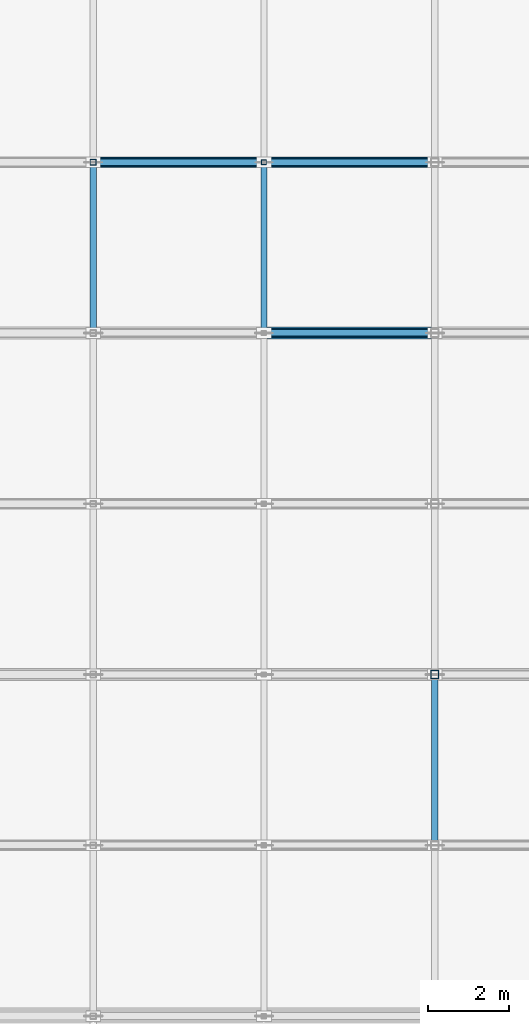
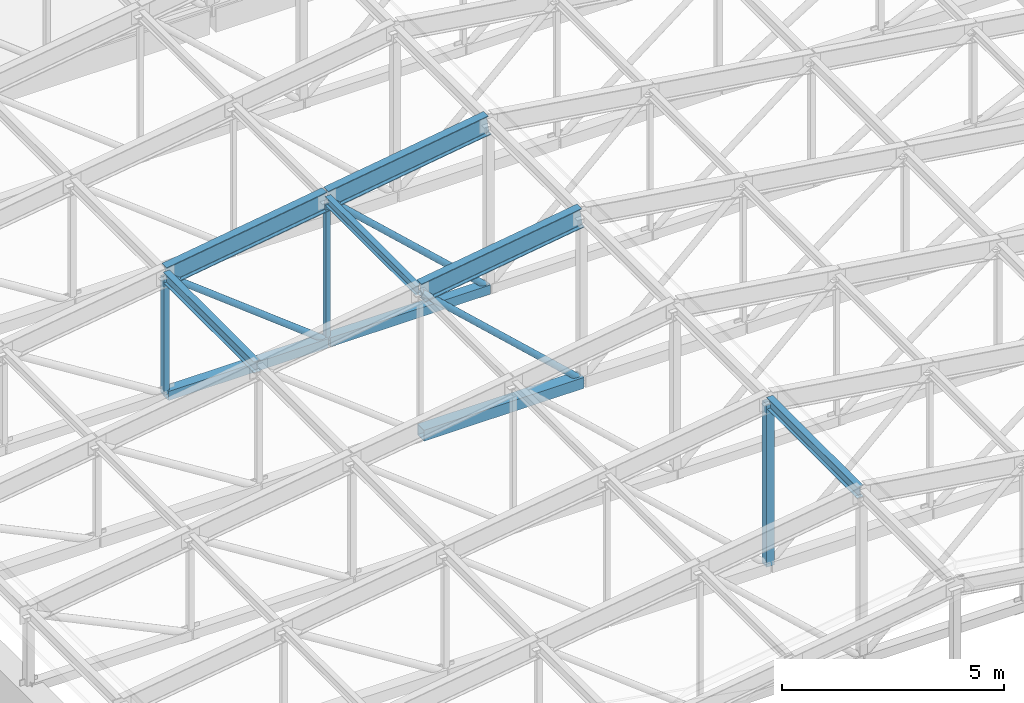
# One storey, part 31 of 122: 15 members.
"""IFC4 building model written with IfcOpenShell, lengths in metres."""

from ifc_helpers import new_model, si_unit, direction, frame, origin, origin_2d, place, context, subcontext, project, spatial, hollow_rectangle, hollow_circle, i_section, extrude, material, material_profile, profile_set, type_object, element, save


model = new_model("IFC4")

# Units and contexts
model_context = context("Model", 3, precision=1e-05, world=origin(), true_north=direction((0.0, 1.0)))
body_context = subcontext(model_context, "Body", "Model", "MODEL_VIEW")
ifc_project = project(units=[si_unit("LENGTHUNIT", "METRE"), si_unit("AREAUNIT", "SQUARE_METRE"), si_unit("VOLUMEUNIT", "CUBIC_METRE"), si_unit("PLANEANGLEUNIT", "RADIAN"), si_unit("MASSUNIT", "GRAM", prefix="KILO")], contexts=[model_context])

# Site, building, storey
site_placement = place(None, origin())
site = spatial("IfcSite", under=ifc_project, at=site_placement, CompositionType="ELEMENT")
building_placement = place(site_placement, origin())
building = spatial("IfcBuilding", under=site, at=building_placement, Name="Telukmera Botanical Conservatory", CompositionType="ELEMENT")
storey_placement = place(building_placement, frame((0.0, 0.0, 10.199951171875)))
storey = spatial("IfcBuildingStorey", under=building, at=storey_placement, Name="L02", CompositionType="ELEMENT", Elevation=10.199951171875)

# Members
ifc_material = material(Name="Steel S355", Category="steel")
ifc_material_profile_1 = material_profile(ifc_material, i_section(OverallWidth=0.210693359375, OverallDepth=0.53955078125, WebThickness=0.01171875, FlangeThickness=0.018798828125, FilletRadius=0.0126953125, at=origin_2d()), Name="UB 533x210x109")
ifc_profile_set_1 = profile_set([ifc_material_profile_1], Name="Steel S355")
member_type_1 = type_object("IfcMemberType", Name="Mem_TC1", PredefinedType="CHORD", material=ifc_profile_set_1)
for number, where, z_axis, x_axis, name in (
    (1, (21.019775390625, 100.0, 3.80615234375), (0.989022603236, 0.0, 0.147764306545), (0.0, 1.0, 0.0), "Auditorium Pratt Truss Top Chord T5-4"),
    (2, (16.81982421875, 104.199951171875, 3.178466796875), (0.989022603236, 0.0, 0.147764306545), (0.0, 1.0, 0.0), "Auditorium Pratt Truss Top Chord T6-3"),
    (3, (21.019775390625, 104.199951171875, 3.80615234375), (0.989022603236, 0.0, 0.147764306545), (0.0, 1.0, 0.0), "Auditorium Pratt Truss Top Chord T6-4"),
):
    element("IfcMember", number, at=place(storey_placement, frame(where, z_axis=z_axis, x_axis=x_axis)), inside=storey, type_object=member_type_1, Name=name, PredefinedType="CHORD", context=body_context, shape_type="SweptSolid", body=[
        extrude(i_section(OverallWidth=0.210693359375, OverallDepth=0.53955078125, WebThickness=0.01171875, FlangeThickness=0.018798828125, FilletRadius=0.0126953125, at=origin_2d()), origin(), (0.0, 0.0, 1.0), 4.20654296875),
    ])
ifc_material_profile_2 = material_profile(ifc_material, hollow_rectangle(XDim=0.25, YDim=0.25, WallThickness=0.012451171875, at=origin_2d()), Name="SHS 250x250x12.5")
ifc_profile_set_2 = profile_set([ifc_material_profile_2], Name="Steel S355")
member_type_2 = type_object("IfcMemberType", Name="Mem_TC2", PredefinedType="CHORD", material=ifc_profile_set_2)
for number, where, z_axis, x_axis, name in (
    (4, (16.820068359375, 104.199951171875, -0.079833984375), (1.0, 0.0, 0.0), (0.0, 1.0, 0.0), "Auditorium Pratt Truss Bottom Chord T6-3"),
    (5, (21.02001953125, 104.199951171875, -0.079833984375), (1.0, 0.0, 0.0), (0.0, 1.0, 0.0), "Auditorium Pratt Truss Bottom Chord T6-4"),
):
    element("IfcMember", number, at=place(storey_placement, frame(where, z_axis=z_axis, x_axis=x_axis)), inside=storey, type_object=member_type_2, Name=name, PredefinedType="CHORD", context=body_context, shape_type="SweptSolid", body=[
        extrude(hollow_rectangle(XDim=0.25, YDim=0.25, WallThickness=0.012451171875, at=origin_2d()), origin(), (0.0, 0.0, 1.0), 4.159912109375),
    ])
ifc_material_profile_3 = material_profile(ifc_material, hollow_rectangle(XDim=0.300048828125, YDim=0.300048828125, WallThickness=0.012451171875, at=origin_2d()), Name="SHS 300x300x12.5")
ifc_profile_set_3 = profile_set([ifc_material_profile_3], Name="Steel S355")
member_type_3 = type_object("IfcMemberType", Name="Mem_TC3", PredefinedType="CHORD", material=ifc_profile_set_3)
member_1_placement = place(storey_placement, frame((21.02001953125, 100.0, -0.079833984375), z_axis=(1.0, 0.0, 0.0), x_axis=(0.0, 1.0, 0.0)))
element("IfcMember", 6, at=member_1_placement, inside=storey, type_object=member_type_3, Name="Auditorium Pratt Truss Bottom Chord T5-4", PredefinedType="CHORD", context=body_context, shape_type="SweptSolid", body=[
    extrude(hollow_rectangle(XDim=0.300048828125, YDim=0.300048828125, WallThickness=0.012451171875, at=origin_2d()), origin(), (0.0, 0.0, 1.0), 4.159912109375),
])
ifc_material_profile_4 = material_profile(ifc_material, hollow_circle(Radius=0.084228515625, WallThickness=0.008056640625, at=origin_2d()), Name="CHS 168.3x8.0")
ifc_profile_set_4 = profile_set([ifc_material_profile_4], Name="Steel S355")
member_type_4 = type_object("IfcMemberType", Name="Mem_TD2", PredefinedType="BRACE", material=ifc_profile_set_4)
member_2_placement = place(storey_placement, frame((21.02197265625, 100.0, 3.78271484375), z_axis=(0.734277342079, 0.0, -0.678849604044), x_axis=(0.0, 1.0, 0.0)))
element("IfcMember", 7, at=member_2_placement, inside=storey, type_object=member_type_4, Name="Auditorium Pratt Truss Web Diagonal T5-D4", PredefinedType="BRACE", context=body_context, shape_type="SweptSolid", body=[
    extrude(hollow_circle(Radius=0.084228515625, WallThickness=0.008056640625, at=origin_2d()), origin(), (0.0, 0.0, 1.0), 5.659912109375),
])
member_3_placement = place(storey_placement, frame((16.82373046875, 104.199951171875, 3.156982421875), z_axis=(0.790391989469, 0.0, -0.61260142261), x_axis=(0.0, 1.0, 0.0)))
element("IfcMember", 8, at=member_3_placement, inside=storey, type_object=member_type_4, Name="Auditorium Pratt Truss Web Diagonal T6-D3", PredefinedType="BRACE", context=body_context, shape_type="SweptSolid", body=[
    extrude(hollow_circle(Radius=0.084228515625, WallThickness=0.008056640625, at=origin_2d()), origin(), (0.0, 0.0, 1.0), 5.25390625),
])
member_4_placement = place(storey_placement, frame((21.02197265625, 104.199951171875, 3.78271484375), z_axis=(0.734277342079, 0.0, -0.678849604044), x_axis=(0.0, 1.0, 0.0)))
element("IfcMember", 9, at=member_4_placement, inside=storey, type_object=member_type_4, Name="Auditorium Pratt Truss Web Diagonal T6-D4", PredefinedType="BRACE", context=body_context, shape_type="SweptSolid", body=[
    extrude(hollow_circle(Radius=0.084228515625, WallThickness=0.008056640625, at=origin_2d()), origin(), (0.0, 0.0, 1.0), 5.659912109375),
])
ifc_material_profile_5 = material_profile(ifc_material, i_section(OverallWidth=0.165771484375, OverallDepth=0.306640625, WebThickness=0.006591796875, FlangeThickness=0.01171875, FilletRadius=0.0087890625, at=origin_2d()), Name="UB 305x165x46")
ifc_profile_set_5 = profile_set([ifc_material_profile_5], Name="Steel S355")
member_type_5 = type_object("IfcMemberType", Name="Mem_TPB1", PredefinedType="PURLIN", material=ifc_profile_set_5)
member_5_placement = place(storey_placement, frame((25.199951171875, 87.4599609375, 4.430908203125), z_axis=(0.0, 1.0, 0.0), x_axis=(-1.0, 0.0, 0.0)))
element("IfcMember", 10, at=member_5_placement, inside=storey, type_object=member_type_5, Name="Auditorium Roof Steel Purlin P2-4", PredefinedType="PURLIN", context=body_context, shape_type="SweptSolid", body=[
    extrude(i_section(OverallWidth=0.165771484375, OverallDepth=0.306640625, WebThickness=0.006591796875, FlangeThickness=0.01171875, FilletRadius=0.0087890625, at=origin_2d()), origin(), (0.0, 0.0, 1.0), 4.080078125),
])
member_6_placement = place(storey_placement, frame((16.800048828125, 100.06005859375, 3.175537109375), z_axis=(0.0, 1.0, 0.0), x_axis=(-1.0, 0.0, 0.0)))
element("IfcMember", 11, at=member_6_placement, inside=storey, type_object=member_type_5, Name="Auditorium Roof Steel Purlin P5-2", PredefinedType="PURLIN", context=body_context, shape_type="SweptSolid", body=[
    extrude(i_section(OverallWidth=0.165771484375, OverallDepth=0.306640625, WebThickness=0.006591796875, FlangeThickness=0.01171875, FilletRadius=0.0087890625, at=origin_2d()), origin(), (0.0, 0.0, 1.0), 4.079833984375),
])
ifc_material_profile_6 = material_profile(ifc_material, i_section(OverallWidth=0.146484375, OverallDepth=0.256103515625, WebThickness=0.00634765625, FlangeThickness=0.010986328125, FilletRadius=0.007568359375, at=origin_2d()), Name="UB 254x146x37")
ifc_profile_set_6 = profile_set([ifc_material_profile_6], Name="Steel S355")
member_type_6 = type_object("IfcMemberType", Name="Mem_TPB2", PredefinedType="PURLIN", material=ifc_profile_set_6)
member_7_placement = place(storey_placement, frame((21.0, 100.06005859375, 3.80322265625), z_axis=(0.0, 1.0, 0.0), x_axis=(-1.0, 0.0, 0.0)))
element("IfcMember", 12, at=member_7_placement, inside=storey, type_object=member_type_6, Name="Auditorium Roof Steel Purlin P5-3", PredefinedType="PURLIN", context=body_context, shape_type="SweptSolid", body=[
    extrude(i_section(OverallWidth=0.146484375, OverallDepth=0.256103515625, WebThickness=0.00634765625, FlangeThickness=0.010986328125, FilletRadius=0.007568359375, at=origin_2d()), origin(), (0.0, 0.0, 1.0), 4.079833984375),
])
ifc_material_profile_7 = material_profile(ifc_material, hollow_rectangle(XDim=0.199951171875, YDim=0.199951171875, WallThickness=0.010009765625, at=origin_2d()), Name="SHS 200x200x10.0")
ifc_profile_set_7 = profile_set([ifc_material_profile_7], Name="Steel S355")
member_type_7 = type_object("IfcMemberType", Name="Mem_TV1", PredefinedType="POST", material=ifc_profile_set_7)
member_8_placement = place(storey_placement, frame((25.199951171875, 91.60009765625, -0.06005859375), z_axis=(0.0, 0.0, 1.0), x_axis=(1.0, 0.0, 0.0)))
element("IfcMember", 13, at=member_8_placement, inside=storey, type_object=member_type_7, Name="Auditorium Pratt Truss Vertical T3-V4", PredefinedType="POST", context=body_context, shape_type="SweptSolid", body=[
    extrude(hollow_rectangle(XDim=0.199951171875, YDim=0.199951171875, WallThickness=0.010009765625, at=origin_2d()), origin(), (0.0, 0.0, 1.0), 4.470947265625),
])
ifc_material_profile_8 = material_profile(ifc_material, hollow_rectangle(XDim=0.14990234375, YDim=0.14990234375, WallThickness=0.008056640625, at=origin_2d()), Name="SHS 150x150x8.0")
ifc_profile_set_8 = profile_set([ifc_material_profile_8], Name="Steel S355")
member_type_8 = type_object("IfcMemberType", Name="Mem_TV2", PredefinedType="POST", material=ifc_profile_set_8)
member_9_placement = place(storey_placement, frame((16.800048828125, 104.199951171875, -0.06005859375), z_axis=(0.0, 0.0, 1.0), x_axis=(1.0, 0.0, 0.0)))
element("IfcMember", 14, at=member_9_placement, inside=storey, type_object=member_type_8, Name="Auditorium Pratt Truss Vertical T6-V2", PredefinedType="POST", context=body_context, shape_type="SweptSolid", body=[
    extrude(hollow_rectangle(XDim=0.14990234375, YDim=0.14990234375, WallThickness=0.008056640625, at=origin_2d()), origin(), (0.0, 0.0, 1.0), 3.215576171875),
])
ifc_material_profile_9 = material_profile(ifc_material, hollow_rectangle(XDim=0.1201171875, YDim=0.1201171875, WallThickness=0.00634765625, at=origin_2d()), Name="SHS 120x120x6.3")
ifc_profile_set_9 = profile_set([ifc_material_profile_9], Name="Steel S355")
member_type_9 = type_object("IfcMemberType", Name="Mem_TV3", PredefinedType="POST", material=ifc_profile_set_9)
member_10_placement = place(storey_placement, frame((21.0, 104.199951171875, -0.06005859375), z_axis=(0.0, 0.0, 1.0), x_axis=(1.0, 0.0, 0.0)))
element("IfcMember", 15, at=member_10_placement, inside=storey, type_object=member_type_9, Name="Auditorium Pratt Truss Vertical T6-V3", PredefinedType="POST", context=body_context, shape_type="SweptSolid", body=[
    extrude(hollow_rectangle(XDim=0.1201171875, YDim=0.1201171875, WallThickness=0.00634765625, at=origin_2d()), origin(), (0.0, 0.0, 1.0), 3.84326171875),
])

save(model, "model.ifc")
